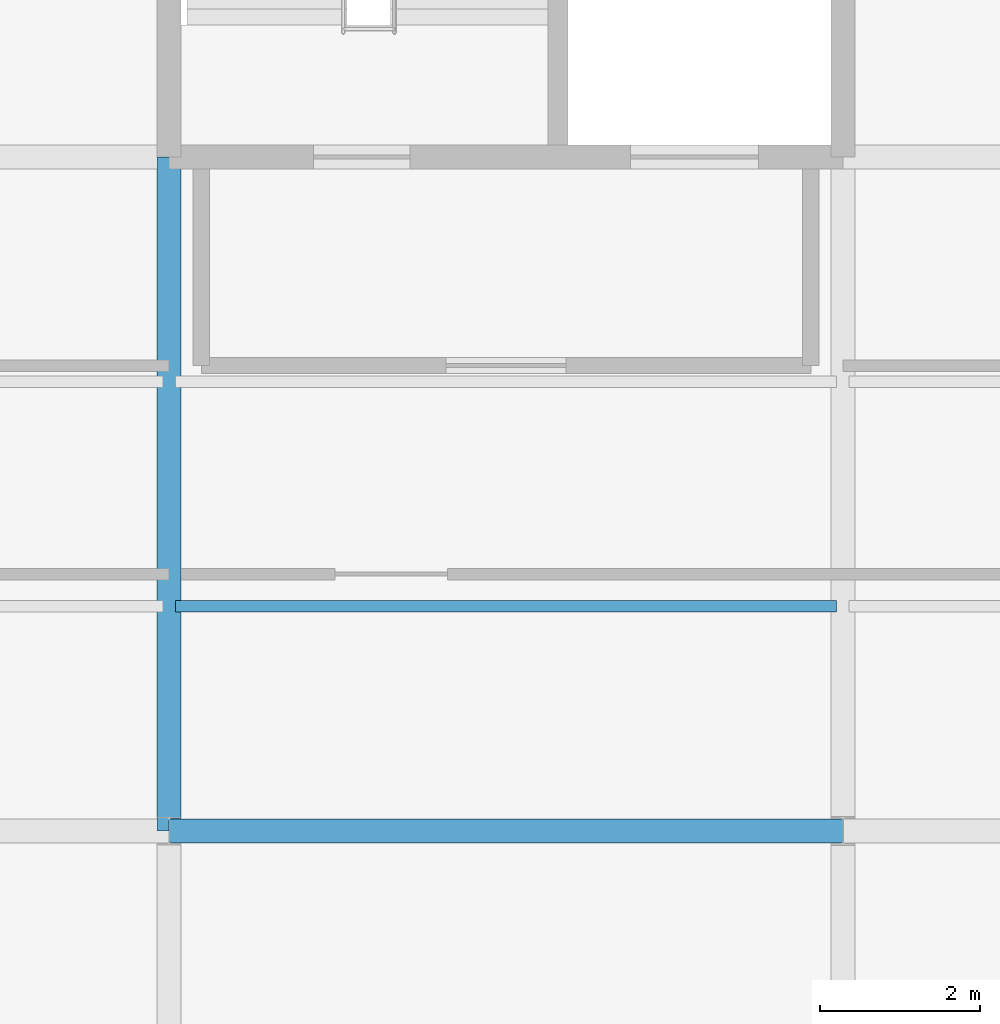
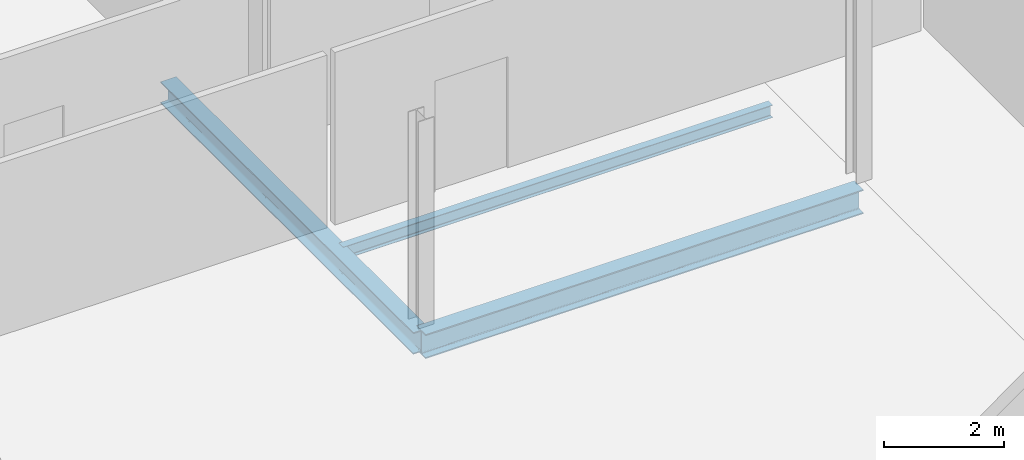
# One storey, part 41 of 163: 3 beams.
"""IFC4 building model written with IfcOpenShell, lengths in metres."""

from ifc_helpers import new_model, si_unit, direction, frame, origin, origin_2d, place, context, subcontext, project, spatial, i_section, extrude, material, material_profile, profile_set, type_object, element, save


model = new_model("IFC4")

# Units and contexts
model_context = context("Model", 3, precision=1e-05, world=origin(), true_north=direction((0.0, 1.0)))
body_context = subcontext(model_context, "Body", "Model", "MODEL_VIEW")
ifc_project = project(units=[si_unit("LENGTHUNIT", "METRE"), si_unit("AREAUNIT", "SQUARE_METRE"), si_unit("VOLUMEUNIT", "CUBIC_METRE"), si_unit("PLANEANGLEUNIT", "RADIAN"), si_unit("MASSUNIT", "GRAM", prefix="KILO")], contexts=[model_context])

# Site, building, storey
site_placement = place(None, origin())
site = spatial("IfcSite", under=ifc_project, at=site_placement, CompositionType="ELEMENT")
building_placement = place(site_placement, origin())
building = spatial("IfcBuilding", under=site, at=building_placement, Name="Qalvenar Corner Mobility Hub", CompositionType="ELEMENT")
storey_placement = place(building_placement, frame((0.0, 0.0, 4.800048828125)))
storey = spatial("IfcBuildingStorey", under=building, at=storey_placement, Name="L01", CompositionType="ELEMENT", Elevation=4.800048828125)

# Beams
ifc_material = material(Name="Steel S355", Category="steel")
ifc_material_profile_1 = material_profile(ifc_material, i_section(OverallWidth=0.300048828125, OverallDepth=0.43994140625, WebThickness=0.011474609375, FlangeThickness=0.02099609375, FilletRadius=0.027099609375, at=origin_2d()), Name="HEA450")
ifc_profile_set_1 = profile_set([ifc_material_profile_1], Name="Steel S355")
beam_type_1 = type_object("IfcBeamType", Name="BM-HEA450", PredefinedType="BEAM", material=ifc_profile_set_1)
beam_1_placement = place(storey_placement, frame((8.39990234375, 50.39990234375, -0.400146484375), z_axis=(0.0, 1.0, 0.0), x_axis=(-1.0, 0.0, 0.0)))
element("IfcBeam", 1, at=beam_1_placement, inside=storey, type_object=beam_type_1, Name="Primary Steel Girder GY-1187", PredefinedType="BEAM", context=body_context, shape_type="SweptSolid", body=[
    extrude(i_section(OverallWidth=0.300048828125, OverallDepth=0.43994140625, WebThickness=0.011474609375, FlangeThickness=0.02099609375, FilletRadius=0.027099609375, at=origin_2d()), origin(), (0.0, 0.0, 1.0), 8.400146484375),
])
ifc_material_profile_2 = material_profile(ifc_material, i_section(OverallWidth=0.300048828125, OverallDepth=0.489990234375, WebThickness=0.011962890625, FlangeThickness=0.02294921875, FilletRadius=0.027099609375, at=origin_2d()), Name="HEA500")
ifc_profile_set_2 = profile_set([ifc_material_profile_2], Name="Steel S355")
beam_type_2 = type_object("IfcBeamType", Name="BM-HEA500", PredefinedType="BEAM", material=ifc_profile_set_2)
beam_2_placement = place(storey_placement, frame((8.39990234375, 50.39990234375, -0.425048828125), z_axis=(1.0, 0.0, 0.0), x_axis=(0.0, 1.0, 0.0)))
element("IfcBeam", 2, at=beam_2_placement, inside=storey, type_object=beam_type_2, Name="Primary Steel Girder GX-1157", PredefinedType="BEAM", context=body_context, shape_type="SweptSolid", body=[
    extrude(i_section(OverallWidth=0.300048828125, OverallDepth=0.489990234375, WebThickness=0.011962890625, FlangeThickness=0.02294921875, FilletRadius=0.027099609375, at=origin_2d()), origin(), (0.0, 0.0, 1.0), 8.400146484375),
])
ifc_material_profile_3 = material_profile(ifc_material, i_section(OverallWidth=0.14599609375, OverallDepth=0.258056640625, WebThickness=0.006103515625, FlangeThickness=0.009033203125, FilletRadius=0.011962890625, at=origin_2d()), Name="W250x32.7")
ifc_profile_set_3 = profile_set([ifc_material_profile_3], Name="Steel S355")
beam_type_3 = type_object("IfcBeamType", Name="BM-JST250", PredefinedType="JOIST", material=ifc_profile_set_3)
beam_3_placement = place(storey_placement, frame((8.47802734375, 53.199951171875, -0.30908203125), z_axis=(1.0, 0.0, 0.0), x_axis=(0.0, 1.0, 0.0)))
element("IfcBeam", 3, at=beam_3_placement, inside=storey, type_object=beam_type_3, Name="Composite Floor Joist J-1224", PredefinedType="JOIST", context=body_context, shape_type="SweptSolid", body=[
    extrude(i_section(OverallWidth=0.14599609375, OverallDepth=0.258056640625, WebThickness=0.006103515625, FlangeThickness=0.009033203125, FilletRadius=0.011962890625, at=origin_2d()), origin(), (0.0, 0.0, 1.0), 8.243896484375),
])

save(model, "model.ifc")
